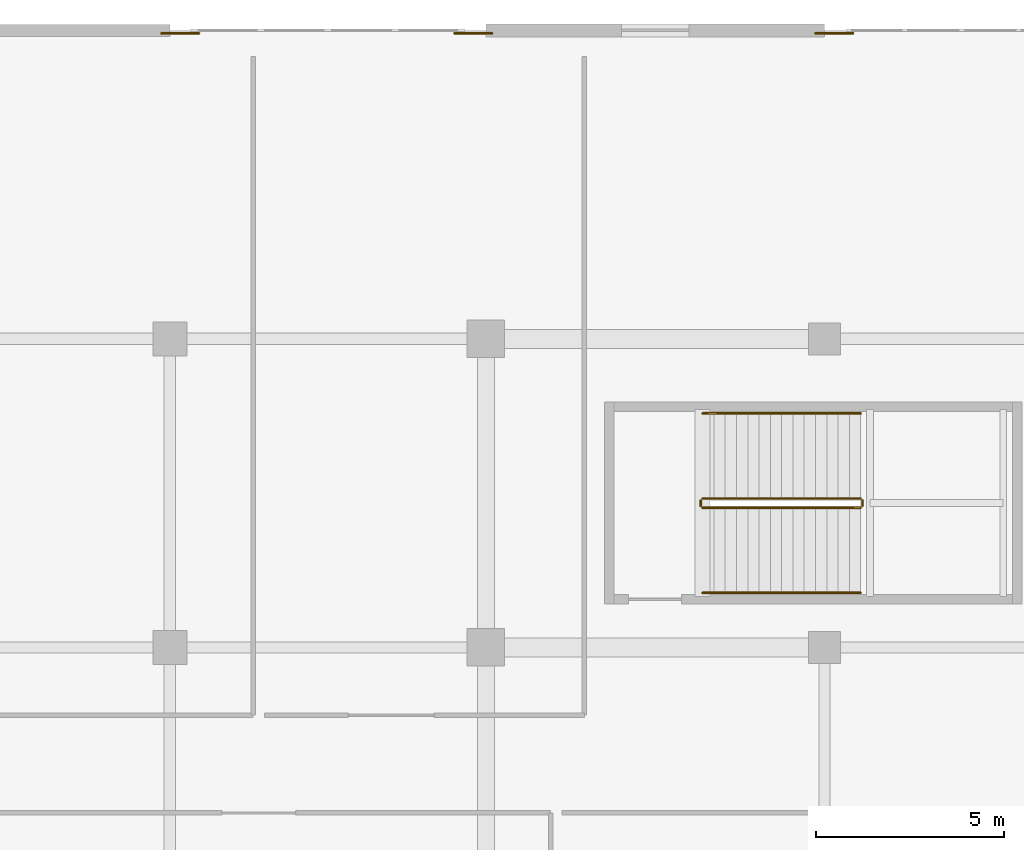
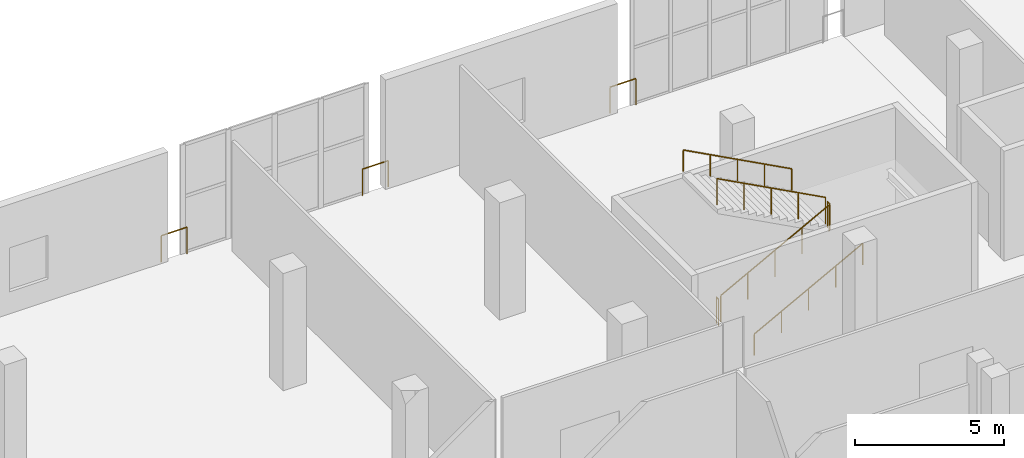
# One storey, part 125 of 129: 9 railings.
"""IFC4 building model written with IfcOpenShell, lengths in metres."""

from ifc_helpers import new_model, si_unit, direction, frame, origin, origin_2d, place, context, subcontext, project, spatial, circle, extrude, material, type_object, element, save


model = new_model("IFC4")

# Units and contexts
model_context = context("Model", 3, precision=1e-05, world=origin(), true_north=direction((0.0, 1.0)))
body_context = subcontext(model_context, "Body", "Model", "MODEL_VIEW")
ifc_project = project(units=[si_unit("LENGTHUNIT", "METRE"), si_unit("AREAUNIT", "SQUARE_METRE"), si_unit("VOLUMEUNIT", "CUBIC_METRE"), si_unit("PLANEANGLEUNIT", "RADIAN"), si_unit("MASSUNIT", "GRAM", prefix="KILO")], contexts=[model_context])

# Site, building, storey
site_placement = place(None, origin())
site = spatial("IfcSite", under=ifc_project, at=site_placement, CompositionType="ELEMENT")
building_placement = place(site_placement, origin())
building = spatial("IfcBuilding", under=site, at=building_placement, Name="Koshinbarg Plaza Stadium", CompositionType="ELEMENT")
storey_placement = place(building_placement, frame((0.0, 0.0, 5.39990234375)))
storey = spatial("IfcBuildingStorey", under=building, at=storey_placement, Name="L01", CompositionType="ELEMENT", Elevation=5.39990234375)

# Railings
ifc_material_1 = material(Name="Toughened laminated glass and stainless steel sightline balustrade", Category="steel")
railing_type_1 = type_object("IfcRailingType", Name="RL-BOWL-1100", PredefinedType="BALUSTRADE", material=ifc_material_1)
railing_1_placement = place(storey_placement, frame((45.974609375, 151.919921875, 0.0)))
element("IfcRailing", 1, at=railing_1_placement, inside=storey, type_object=railing_type_1, Name="L01 deck edge safety balustrade 0036", PredefinedType="BALUSTRADE", context=body_context, shape_type="SweptSolid", body=[
    extrude(circle(Radius=0.02392578125, at=origin_2d()), frame((0.0, 0.0, 1.076171875), z_axis=(1.0, 0.0, 0.0), x_axis=(0.0, 1.0, 0.0)), (0.0, 0.0, 1.0), 0.999267578125),
    extrude(circle(Radius=0.02099609375, at=origin_2d()), origin(), (0.0, 0.0, 1.0), 1.052001953125),
    extrude(circle(Radius=0.02099609375, at=origin_2d()), frame((0.999267578125, 0.0, 0.0)), (0.0, 0.0, 1.0), 1.052001953125),
])
for number, where, name in (
    (2, (53.76708984375, 151.919921875, 0.0), "L01 deck edge safety balustrade 0037"),
    (3, (63.358154296875, 151.919921875, 0.0), "L01 deck edge safety balustrade 0038"),
):
    element("IfcRailing", number, at=place(storey_placement, frame(where)), inside=storey, type_object=railing_type_1, Name=name, PredefinedType="BALUSTRADE", context=body_context, shape_type="SweptSolid", body=[
        extrude(circle(Radius=0.02392578125, at=origin_2d()), frame((0.0, 0.0, 1.076171875), z_axis=(1.0, 0.0, 0.0), x_axis=(0.0, 1.0, 0.0)), (0.0, 0.0, 1.0), 0.99951171875),
        extrude(circle(Radius=0.02099609375, at=origin_2d()), origin(), (0.0, 0.0, 1.0), 1.052001953125),
        extrude(circle(Radius=0.02099609375, at=origin_2d()), frame((0.99951171875, 0.0, 0.0)), (0.0, 0.0, 1.0), 1.052001953125),
    ])
ifc_material_2 = material(Name="Galvanized painted steel guardrail", Category="steel")
railing_type_2 = type_object("IfcRailingType", Name="RL-GUARD-1100", PredefinedType="GUARDRAIL", material=ifc_material_2)
railing_2_placement = place(storey_placement, frame((60.360107421875, 139.31005859375, 0.16015625)))
element("IfcRailing", 4, at=railing_2_placement, inside=storey, type_object=railing_type_2, Name="L01 C11 stair guard 1", PredefinedType="GUARDRAIL", context=body_context, shape_type="SweptSolid", body=[
    extrude(circle(Radius=0.02392578125, at=origin_2d()), frame((0.0, 0.0, 1.076171875), z_axis=(0.882351521365, 0.0, 0.470590897432), x_axis=(0.0, 1.0, 0.0)), (0.0, 0.0, 1.0), 4.760009765625),
    extrude(circle(Radius=0.02099609375, at=origin_2d()), origin(), (0.0, 0.0, 1.0), 1.052001953125),
    extrude(circle(Radius=0.02099609375, at=origin_2d()), frame((1.050048828125, 0.0, 0.56005859375)), (0.0, 0.0, 1.0), 1.052001953125),
    extrude(circle(Radius=0.02099609375, at=origin_2d()), frame((2.10009765625, 0.0, 1.1201171875)), (0.0, 0.0, 1.0), 1.052001953125),
    extrude(circle(Radius=0.02099609375, at=origin_2d()), frame((3.14990234375, 0.0, 1.679931640625)), (0.0, 0.0, 1.0), 1.052001953125),
    extrude(circle(Radius=0.02099609375, at=origin_2d()), frame((4.199951171875, 0.0, 2.239990234375)), (0.0, 0.0, 1.0), 1.052001953125),
])
railing_3_placement = place(storey_placement, frame((64.610107421875, 139.360107421875, 2.400146484375)))
element("IfcRailing", 5, at=railing_3_placement, inside=storey, type_object=railing_type_2, Name="L01 C11 stair guard 2", PredefinedType="GUARDRAIL", context=body_context, shape_type="SweptSolid", body=[
    extrude(circle(Radius=0.02392578125, at=origin_2d()), frame((0.0, 0.0, 1.076171875), z_axis=(0.0, 1.0, 0.0), x_axis=(-1.0, 0.0, 0.0)), (0.0, 0.0, 1.0), 0.14990234375),
    extrude(circle(Radius=0.02099609375, at=origin_2d()), origin(), (0.0, 0.0, 1.0), 1.052001953125),
    extrude(circle(Radius=0.02099609375, at=origin_2d()), frame((0.0, 0.14990234375, 0.0)), (0.0, 0.0, 1.0), 1.052001953125),
])
railing_4_placement = place(storey_placement, frame((64.56005859375, 139.56005859375, 2.56005859375)))
element("IfcRailing", 6, at=railing_4_placement, inside=storey, type_object=railing_type_2, Name="L01 C11 stair guard 3", PredefinedType="GUARDRAIL", context=body_context, shape_type="SweptSolid", body=[
    extrude(circle(Radius=0.02392578125, at=origin_2d()), frame((0.0, 0.0, 1.076171875), z_axis=(-0.882351521365, 0.0, 0.470590897432), x_axis=(0.0, -1.0, 0.0)), (0.0, 0.0, 1.0), 4.760009765625),
    extrude(circle(Radius=0.02099609375, at=origin_2d()), origin(), (0.0, 0.0, 1.0), 1.052001953125),
    extrude(circle(Radius=0.02099609375, at=origin_2d()), frame((-1.050048828125, 0.0, 0.56005859375)), (0.0, 0.0, 1.0), 1.052001953125),
    extrude(circle(Radius=0.02099609375, at=origin_2d()), frame((-2.10009765625, 0.0, 1.1201171875)), (0.0, 0.0, 1.0), 1.052001953125),
    extrude(circle(Radius=0.02099609375, at=origin_2d()), frame((-3.14990234375, 0.0, 1.679931640625)), (0.0, 0.0, 1.0), 1.052001953125),
    extrude(circle(Radius=0.02099609375, at=origin_2d()), frame((-4.199951171875, 0.0, 2.239990234375)), (0.0, 0.0, 1.0), 1.052001953125),
])
railing_5_placement = place(storey_placement, frame((60.31005859375, 139.360107421875, 0.0)))
element("IfcRailing", 7, at=railing_5_placement, inside=storey, type_object=railing_type_2, Name="L01 C11 stair guard 4", PredefinedType="GUARDRAIL", context=body_context, shape_type="SweptSolid", body=[
    extrude(circle(Radius=0.02392578125, at=origin_2d()), frame((0.0, 0.0, 1.076171875), z_axis=(0.0, 1.0, 0.0), x_axis=(-1.0, 0.0, 0.0)), (0.0, 0.0, 1.0), 0.14990234375),
    extrude(circle(Radius=0.02099609375, at=origin_2d()), origin(), (0.0, 0.0, 1.0), 1.052001953125),
    extrude(circle(Radius=0.02099609375, at=origin_2d()), frame((0.0, 0.14990234375, 0.0)), (0.0, 0.0, 1.0), 1.052001953125),
])
ifc_material_3 = material(Name="Brushed stainless steel handrail", Category="steel")
railing_type_3 = type_object("IfcRailingType", Name="RL-HAND-900", PredefinedType="HANDRAIL", material=ifc_material_3)
railing_6_placement = place(storey_placement, frame((60.360107421875, 137.050048828125, 0.16015625)))
element("IfcRailing", 8, at=railing_6_placement, inside=storey, type_object=railing_type_3, Name="L01 C11 stair handrail 1", PredefinedType="HANDRAIL", context=body_context, shape_type="SweptSolid", body=[
    extrude(circle(Radius=0.02392578125, at=origin_2d()), frame((0.0, 0.0, 0.8759765625), z_axis=(0.882351521365, 0.0, 0.470590897432), x_axis=(0.0, 1.0, 0.0)), (0.0, 0.0, 1.0), 4.760009765625),
    extrude(circle(Radius=0.02099609375, at=origin_2d()), origin(), (0.0, 0.0, 1.0), 0.851806640625),
    extrude(circle(Radius=0.02099609375, at=origin_2d()), frame((1.050048828125, 0.0, 0.56005859375)), (0.0, 0.0, 1.0), 0.851806640625),
    extrude(circle(Radius=0.02099609375, at=origin_2d()), frame((2.10009765625, 0.0, 1.1201171875)), (0.0, 0.0, 1.0), 0.851806640625),
    extrude(circle(Radius=0.02099609375, at=origin_2d()), frame((3.14990234375, 0.0, 1.679931640625)), (0.0, 0.0, 1.0), 0.851806640625),
    extrude(circle(Radius=0.02099609375, at=origin_2d()), frame((4.199951171875, 0.0, 2.239990234375)), (0.0, 0.0, 1.0), 0.851806640625),
])
railing_7_placement = place(storey_placement, frame((64.56005859375, 141.820068359375, 2.56005859375)))
element("IfcRailing", 9, at=railing_7_placement, inside=storey, type_object=railing_type_3, Name="L01 C11 stair handrail 2", PredefinedType="HANDRAIL", context=body_context, shape_type="SweptSolid", body=[
    extrude(circle(Radius=0.02392578125, at=origin_2d()), frame((0.0, 0.0, 0.8759765625), z_axis=(-0.882351521365, 0.0, 0.470590897432), x_axis=(0.0, -1.0, 0.0)), (0.0, 0.0, 1.0), 4.760009765625),
    extrude(circle(Radius=0.02099609375, at=origin_2d()), origin(), (0.0, 0.0, 1.0), 0.851806640625),
    extrude(circle(Radius=0.02099609375, at=origin_2d()), frame((-1.050048828125, 0.0, 0.56005859375)), (0.0, 0.0, 1.0), 0.851806640625),
    extrude(circle(Radius=0.02099609375, at=origin_2d()), frame((-2.10009765625, 0.0, 1.1201171875)), (0.0, 0.0, 1.0), 0.851806640625),
    extrude(circle(Radius=0.02099609375, at=origin_2d()), frame((-3.14990234375, 0.0, 1.679931640625)), (0.0, 0.0, 1.0), 0.851806640625),
    extrude(circle(Radius=0.02099609375, at=origin_2d()), frame((-4.199951171875, 0.0, 2.239990234375)), (0.0, 0.0, 1.0), 0.851806640625),
])

save(model, "model.ifc")
